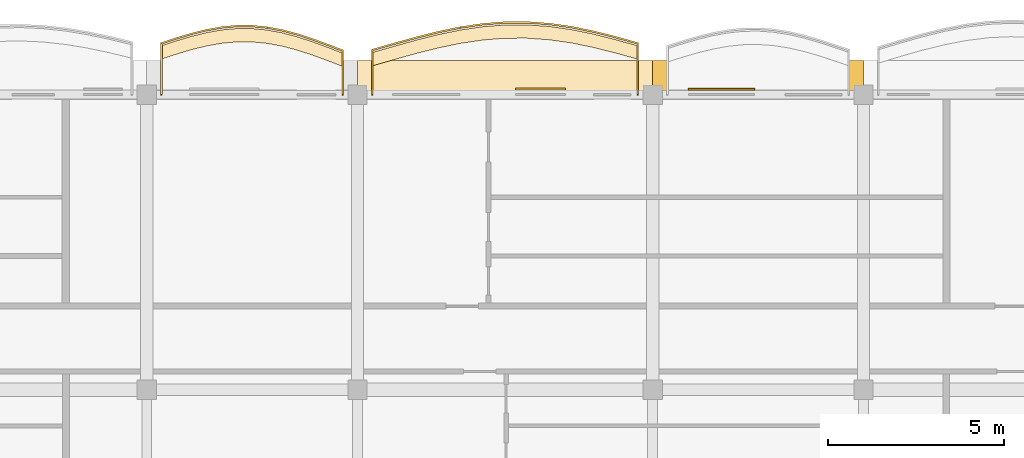
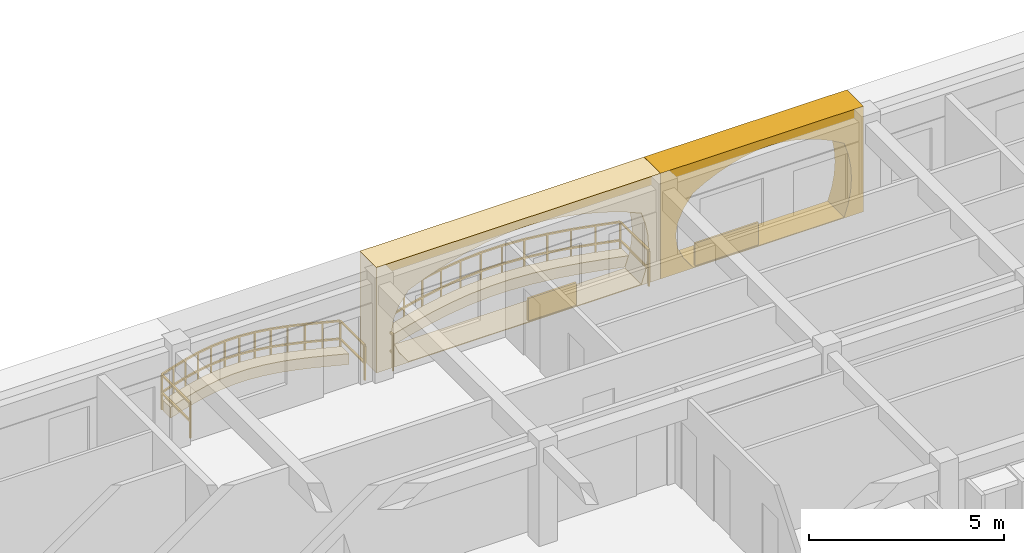
# One storey, part 49 of 59: 6 coverings, 2 railings.
"""IFC4 building model written with IfcOpenShell, lengths in metres."""

from ifc_helpers import new_model, si_unit, direction, frame, origin, origin_2d, place, context, subcontext, project, spatial, polyline, rectangle, outline, extrude, material, layer, layer_set, type_object, element, save


model = new_model("IFC4")

# Units and contexts
model_context = context("Model", 3, precision=1e-05, world=origin(), true_north=direction((0.0, 1.0)))
body_context = subcontext(model_context, "Body", "Model", "MODEL_VIEW")
ifc_project = project(units=[si_unit("LENGTHUNIT", "METRE"), si_unit("AREAUNIT", "SQUARE_METRE"), si_unit("VOLUMEUNIT", "CUBIC_METRE"), si_unit("PLANEANGLEUNIT", "RADIAN"), si_unit("MASSUNIT", "GRAM", prefix="KILO"), si_unit("THERMODYNAMICTEMPERATUREUNIT", "KELVIN")], contexts=[model_context])

# Site, building, storey
site_placement = place(None, origin())
site = spatial("IfcSite", under=ifc_project, at=site_placement, CompositionType="ELEMENT")
building_placement = place(site_placement, origin())
building = spatial("IfcBuilding", under=site, at=building_placement, Name="Thalorik Housing Commons", CompositionType="ELEMENT")
storey_placement = place(building_placement, frame((0.0, 0.0, 27.89990234375)))
storey = spatial("IfcBuildingStorey", under=building, at=storey_placement, Name="L08", CompositionType="ELEMENT", Elevation=27.89990234375)

# Coverings
ifc_material_1 = material(Name="Cobalt blue glazed ceramic facade tile panel", Category="masonry")
ifc_layer_1 = layer(ifc_material_1, 0.06005859375, Name="Cobalt blue glazed ceramic facade tile panel", Category="masonry")
ifc_layer_set_1 = layer_set([ifc_layer_1], Name="Cobalt blue glazed ceramic facade tile panel")
covering_type_1 = type_object("IfcCoveringType", Name="ARC-CLD-BLU-60", PredefinedType="CLADDING", material=ifc_layer_set_1)
covering_1_placement = place(storey_placement, frame((120.404296875, 123.757568359375, 0.05029296875), z_axis=(0.0, 0.0, 1.0), x_axis=(-1.0, 0.0, 0.0)))
element("IfcCovering", 1, at=covering_1_placement, inside=storey, type_object=covering_type_1, Name="L08 De Stijl Recessed Window Spandrel 2717", PredefinedType="CLADDING", context=body_context, shape_type="SweptSolid", body=[
    extrude(rectangle(XDim=1.419921875, YDim=0.06005859375, at=origin_2d()), origin(), (0.0, 0.0, 1.0), 0.699951171875),
])
ifc_material_2 = material(Name="Precast concrete C40/50", Category="concrete")
ifc_layer_2 = layer(ifc_material_2, 0.85009765625, Name="Precast concrete C40/50", Category="concrete")
ifc_layer_set_2 = layer_set([ifc_layer_2], Name="Precast concrete C40/50")
covering_type_2 = type_object("IfcCoveringType", Name="ARC-CLD-CUSH-850", PredefinedType="CLADDING", material=ifc_layer_set_2)
covering_2_placement = place(storey_placement, frame((126.60009765625, 124.1474609375, 0.0), z_axis=(0.0, 0.0, 1.0), x_axis=(-1.0, 0.0, 0.0)))
element("IfcCovering", 2, at=covering_2_placement, inside=storey, type_object=covering_type_2, Name="L08 White Precast Curved Cushion Bay Frame 2714", PredefinedType="CLADDING", context=body_context, shape_type="SweptSolid", body=[
    extrude(outline(polyline([(-3.0, 0.0), (3.0, 0.0), (3.0, 3.300048828125), (-3.0, 3.300048828125), (-3.0, 0.0)]), holes=[polyline([(2.0400390625, 0.02490234375), (2.3232421875, 0.410888671875), (2.493408203125, 0.796630859375), (2.550048828125, 1.1826171875), (2.493408203125, 1.568359375), (2.3232421875, 1.9541015625), (2.0400390625, 2.340087890625), (1.66748046875, 2.552978515625), (1.294921875, 2.720458984375), (0.922607421875, 2.85595703125), (0.550048828125, 2.956787109375), (0.177490234375, 3.01904296875), (-0.195068359375, 3.0400390625), (-0.5673828125, 3.01904296875), (-0.93994140625, 2.956787109375), (-1.3125, 2.85595703125), (-1.68505859375, 2.720458984375), (-2.0576171875, 2.552978515625), (-2.429931640625, 2.340087890625), (-2.55029296875, 1.9541015625), (-2.62255859375, 1.568359375), (-2.646484375, 1.1826171875), (-2.62255859375, 0.796630859375), (-2.55029296875, 0.410888671875), (-2.429931640625, 0.02490234375), (2.0400390625, 0.02490234375)])]), frame((0.0, 0.425048828125, 0.0), z_axis=(0.0, -1.0, 0.0), x_axis=(1.0, 0.0, 0.0)), (0.0, 0.0, 1.0), 0.85009765625),
])
covering_3_placement = place(storey_placement, frame((119.39990234375, 124.1474609375, 0.0), z_axis=(0.0, 0.0, 1.0), x_axis=(-1.0, 0.0, 0.0)))
element("IfcCovering", 3, at=covering_3_placement, inside=storey, type_object=covering_type_2, Name="L08 White Precast Curved Cushion Bay Frame 2716", PredefinedType="CLADDING", context=body_context, shape_type="SweptSolid", body=[
    extrude(outline(polyline([(-4.199951171875, 0.0), (4.199951171875, 0.0), (4.199951171875, 3.300048828125), (-4.199951171875, 3.300048828125), (-4.199951171875, 0.0)]), holes=[polyline([(3.25048828125, 0.02490234375), (3.528076171875, 0.3974609375), (3.694580078125, 0.77001953125), (3.75, 1.142578125), (3.694580078125, 1.514892578125), (3.528076171875, 1.887451171875), (3.25048828125, 2.260009765625), (2.67724609375, 2.497314453125), (2.103759765625, 2.683837890625), (1.530517578125, 2.8349609375), (0.95703125, 2.947265625), (0.3837890625, 3.0166015625), (-0.189697265625, 3.0400390625), (-0.76318359375, 3.0166015625), (-1.33642578125, 2.947265625), (-1.909912109375, 2.8349609375), (-2.483154296875, 2.683837890625), (-3.056640625, 2.497314453125), (-3.6298828125, 2.260009765625), (-3.750244140625, 1.887451171875), (-3.822509765625, 1.514892578125), (-3.8466796875, 1.142578125), (-3.822509765625, 0.77001953125), (-3.750244140625, 0.3974609375), (-3.6298828125, 0.02490234375), (3.25048828125, 0.02490234375)])]), frame((0.0, 0.425048828125, 0.0), z_axis=(0.0, -1.0, 0.0), x_axis=(1.0, 0.0, 0.0)), (0.0, 0.0, 1.0), 0.85009765625),
])
ifc_material_3 = material(Name="Terracotta red mineral fibre-cement panel", Category="masonry")
ifc_layer_3 = layer(ifc_material_3, 0.054931640625, Name="Terracotta red mineral fibre-cement panel", Category="masonry")
ifc_layer_set_3 = layer_set([ifc_layer_3], Name="Terracotta red mineral fibre-cement panel")
covering_type_3 = type_object("IfcCoveringType", Name="ARC-CLD-RED-55", PredefinedType="CLADDING", material=ifc_layer_set_3)
covering_4_placement = place(storey_placement, frame((125.56005859375, 123.7548828125, 0.05029296875), z_axis=(0.0, 0.0, 1.0), x_axis=(-1.0, 0.0, 0.0)))
element("IfcCovering", 4, at=covering_4_placement, inside=storey, type_object=covering_type_3, Name="L08 De Stijl Recessed Window Spandrel 2715", PredefinedType="CLADDING", context=body_context, shape_type="SweptSolid", body=[
    extrude(rectangle(XDim=1.8798828125, YDim=0.054931640625, at=origin_2d()), origin(), (0.0, 0.0, 1.0), 0.699951171875),
])
ifc_material_4 = material(Name="Planted vegetated substrate and terracotta trough", Category="masonry")
ifc_layer_4 = layer(ifc_material_4, 0.340087890625, Name="Planted vegetated substrate and terracotta trough", Category="masonry")
ifc_layer_set_4 = layer_set([ifc_layer_4], Name="Planted vegetated substrate and terracotta trough")
covering_type_4 = type_object("IfcCoveringType", Name="ARC-COV-PLANTER", PredefinedType="USERDEFINED", material=ifc_layer_set_4)
covering_5_placement = place(storey_placement, origin())
element("IfcCovering", 5, at=covering_5_placement, inside=storey, type_object=covering_type_4, Name="L08 Balcony Slab-Edge Planted Trough 5516", ObjectType="PLANTER", PredefinedType="USERDEFINED", context=body_context, shape_type="SweptSolid", body=[
    extrude(outline(polyline([(114.780029296875, 124.781982421875), (114.35009765625, 124.946533203125), (113.919921875, 125.10400390625), (113.489990234375, 125.244384765625), (113.06005859375, 125.358154296875), (112.6298828125, 125.4384765625), (112.199951171875, 125.480224609375), (111.77001953125, 125.481201171875), (111.340087890625, 125.4423828125), (110.909912109375, 125.366943359375), (110.47998046875, 125.260986328125), (110.050048828125, 125.1318359375), (109.6201171875, 124.989501953125), (109.6201171875, 124.609619140625), (110.050048828125, 124.751953125), (110.47998046875, 124.880859375), (110.909912109375, 124.987060546875), (111.340087890625, 125.0625), (111.77001953125, 125.101318359375), (112.199951171875, 125.10009765625), (112.6298828125, 125.058349609375), (113.06005859375, 124.978271484375), (113.489990234375, 124.864501953125), (113.919921875, 124.72412109375), (114.35009765625, 124.56640625), (114.780029296875, 124.402099609375), (114.780029296875, 124.781982421875)])), origin(), (0.0, 0.0, 1.0), 0.340087890625),
])
covering_6_placement = place(storey_placement, origin())
element("IfcCovering", 6, at=covering_6_placement, inside=storey, type_object=covering_type_4, Name="L08 Balcony Slab-Edge Planted Trough 5517", ObjectType="PLANTER", PredefinedType="USERDEFINED", context=body_context, shape_type="SweptSolid", body=[
    extrude(outline(polyline([(123.179931640625, 124.9873046875), (122.550048828125, 125.1640625), (121.919921875, 125.322021484375), (121.2900390625, 125.4501953125), (120.659912109375, 125.5400390625), (120.030029296875, 125.58544921875), (119.39990234375, 125.58349609375), (118.77001953125, 125.5341796875), (118.139892578125, 125.44140625), (117.510009765625, 125.3115234375), (116.8798828125, 125.15380859375), (116.25, 124.97900390625), (115.6201171875, 124.79931640625), (115.6201171875, 124.419189453125), (116.25, 124.598876953125), (116.8798828125, 124.773681640625), (117.510009765625, 124.931640625), (118.139892578125, 125.061279296875), (118.77001953125, 125.154296875), (119.39990234375, 125.203369140625), (120.030029296875, 125.20556640625), (120.659912109375, 125.16015625), (121.2900390625, 125.0703125), (121.919921875, 124.94189453125), (122.550048828125, 124.7841796875), (123.179931640625, 124.607421875), (123.179931640625, 124.9873046875)])), origin(), (0.0, 0.0, 1.0), 0.340087890625),
])

# Railings
ifc_material_5 = material(Name="Steel S355", Category="steel")
railing_type_1 = type_object("IfcRailingType", Name="ARC-RL-BAL-112", PredefinedType="BALUSTRADE", material=ifc_material_5)
railing_1_placement = place(storey_placement, frame((114.780029296875, 123.60009765625, 0.0)))
element("IfcRailing", 7, at=railing_1_placement, inside=storey, type_object=railing_type_1, Name="L08 Cushion Balcony Guardrail 200", PredefinedType="BALUSTRADE", context=body_context, shape_type="SweptSolid", body=[
    extrude(rectangle(XDim=0.050048828125, YDim=0.050048828125, at=origin_2d()), frame((0.0, 0.0, 1.09521484375), z_axis=(0.0, 1.0, 0.0), x_axis=(-1.0, 0.0, 0.0)), (0.0, 0.0, 1.0), 1.251953125),
    extrude(rectangle(XDim=0.050048828125, YDim=0.050048828125, at=origin_2d()), frame((0.0, 0.0, 0.53515625), z_axis=(0.0, 1.0, 0.0), x_axis=(-1.0, 0.0, 0.0)), (0.0, 0.0, 1.0), 1.251953125),
    extrude(rectangle(XDim=0.050048828125, YDim=0.050048828125, at=origin_2d()), frame((0.0, 1.251953125, 1.09521484375), z_axis=(-0.933932105252, 0.357450448007, 0.0), x_axis=(-0.357450448007, -0.933932105252, 0.0)), (0.0, 0.0, 1.0), 0.46044921875),
    extrude(rectangle(XDim=0.050048828125, YDim=0.050048828125, at=origin_2d()), frame((0.0, 1.251953125, 0.53515625), z_axis=(-0.933932105252, 0.357450448007, 0.0), x_axis=(-0.357450448007, -0.933932105252, 0.0)), (0.0, 0.0, 1.0), 0.46044921875),
    extrude(rectangle(XDim=0.050048828125, YDim=0.050048828125, at=origin_2d()), frame((-0.429931640625, 1.41650390625, 1.09521484375), z_axis=(-0.939059922416, 0.343753490328, 0.0), x_axis=(-0.343753490328, -0.939059922416, 0.0)), (0.0, 0.0, 1.0), 0.4580078125),
    extrude(rectangle(XDim=0.050048828125, YDim=0.050048828125, at=origin_2d()), frame((-0.429931640625, 1.41650390625, 0.53515625), z_axis=(-0.939059922416, 0.343753490328, 0.0), x_axis=(-0.343753490328, -0.939059922416, 0.0)), (0.0, 0.0, 1.0), 0.4580078125),
    extrude(rectangle(XDim=0.050048828125, YDim=0.050048828125, at=origin_2d()), frame((-0.860107421875, 1.573974609375, 1.09521484375), z_axis=(-0.950608707094, 0.310391826564, 0.0), x_axis=(-0.310391826564, -0.950608707094, 0.0)), (0.0, 0.0, 1.0), 0.4521484375),
    extrude(rectangle(XDim=0.050048828125, YDim=0.050048828125, at=origin_2d()), frame((-0.860107421875, 1.573974609375, 0.53515625), z_axis=(-0.950608707094, 0.310391826564, 0.0), x_axis=(-0.310391826564, -0.950608707094, 0.0)), (0.0, 0.0, 1.0), 0.4521484375),
    extrude(rectangle(XDim=0.050048828125, YDim=0.050048828125, at=origin_2d()), frame((-1.2900390625, 1.71435546875, 1.09521484375), z_axis=(-0.966725195305, 0.25581711585, 0.0), x_axis=(-0.25581711585, -0.966725195305, 0.0)), (0.0, 0.0, 1.0), 0.44482421875),
    extrude(rectangle(XDim=0.050048828125, YDim=0.050048828125, at=origin_2d()), frame((-1.2900390625, 1.71435546875, 0.53515625), z_axis=(-0.966725195305, 0.25581711585, 0.0), x_axis=(-0.25581711585, -0.966725195305, 0.0)), (0.0, 0.0, 1.0), 0.44482421875),
    extrude(rectangle(XDim=0.050048828125, YDim=0.050048828125, at=origin_2d()), frame((-1.719970703125, 1.828125, 1.09521484375), z_axis=(-0.98311137791, 0.18300824742, 0.0), x_axis=(-0.18300824742, -0.98311137791, 0.0)), (0.0, 0.0, 1.0), 0.4375),
    extrude(rectangle(XDim=0.050048828125, YDim=0.050048828125, at=origin_2d()), frame((-1.719970703125, 1.828125, 0.53515625), z_axis=(-0.98311137791, 0.18300824742, 0.0), x_axis=(-0.18300824742, -0.98311137791, 0.0)), (0.0, 0.0, 1.0), 0.4375),
    extrude(rectangle(XDim=0.050048828125, YDim=0.050048828125, at=origin_2d()), frame((-2.150146484375, 1.908203125, 1.09521484375), z_axis=(-0.995263970634, 0.097209200993, 0.0), x_axis=(-0.097209200993, -0.995263970634, 0.0)), (0.0, 0.0, 1.0), 0.431884765625),
    extrude(rectangle(XDim=0.050048828125, YDim=0.050048828125, at=origin_2d()), frame((-2.150146484375, 1.908203125, 0.53515625), z_axis=(-0.995263970634, 0.097209200993, 0.0), x_axis=(-0.097209200993, -0.995263970634, 0.0)), (0.0, 0.0, 1.0), 0.431884765625),
    extrude(rectangle(XDim=0.050048828125, YDim=0.050048828125, at=origin_2d()), frame((-2.580078125, 1.9501953125, 1.09521484375), z_axis=(-0.999997420298, 0.002271430824, 0.0), x_axis=(-0.002271430824, -0.999997420298, 0.0)), (0.0, 0.0, 1.0), 0.429931640625),
    extrude(rectangle(XDim=0.050048828125, YDim=0.050048828125, at=origin_2d()), frame((-2.580078125, 1.9501953125, 0.53515625), z_axis=(-0.999997420298, 0.002271430824, 0.0), x_axis=(-0.002271430824, -0.999997420298, 0.0)), (0.0, 0.0, 1.0), 0.429931640625),
    extrude(rectangle(XDim=0.050048828125, YDim=0.050048828125, at=origin_2d()), frame((-3.010009765625, 1.951171875, 1.09521484375), z_axis=(-0.995948647187, -0.089923813119, 0.0), x_axis=(0.089923813119, -0.995948647187, 0.0)), (0.0, 0.0, 1.0), 0.431640625),
    extrude(rectangle(XDim=0.050048828125, YDim=0.050048828125, at=origin_2d()), frame((-3.010009765625, 1.951171875, 0.53515625), z_axis=(-0.995948647187, -0.089923813119, 0.0), x_axis=(0.089923813119, -0.995948647187, 0.0)), (0.0, 0.0, 1.0), 0.431640625),
    extrude(rectangle(XDim=0.050048828125, YDim=0.050048828125, at=origin_2d()), frame((-3.43994140625, 1.912353515625, 1.09521484375), z_axis=(-0.984968706606, -0.172732877606, 0.0), x_axis=(0.172732877606, -0.984968706606, 0.0)), (0.0, 0.0, 1.0), 0.436767578125),
    extrude(rectangle(XDim=0.050048828125, YDim=0.050048828125, at=origin_2d()), frame((-3.43994140625, 1.912353515625, 0.53515625), z_axis=(-0.984968706606, -0.172732877606, 0.0), x_axis=(0.172732877606, -0.984968706606, 0.0)), (0.0, 0.0, 1.0), 0.436767578125),
    extrude(rectangle(XDim=0.050048828125, YDim=0.050048828125, at=origin_2d()), frame((-3.8701171875, 1.8369140625, 1.09521484375), z_axis=(-0.970819679707, -0.23981065342, 0.0), x_axis=(0.23981065342, -0.970819679707, 0.0)), (0.0, 0.0, 1.0), 0.44287109375),
    extrude(rectangle(XDim=0.050048828125, YDim=0.050048828125, at=origin_2d()), frame((-3.8701171875, 1.8369140625, 0.53515625), z_axis=(-0.970819679707, -0.23981065342, 0.0), x_axis=(0.23981065342, -0.970819679707, 0.0)), (0.0, 0.0, 1.0), 0.44287109375),
    extrude(rectangle(XDim=0.050048828125, YDim=0.050048828125, at=origin_2d()), frame((-4.300048828125, 1.730712890625, 1.09521484375), z_axis=(-0.957871185663, -0.287198174918, 0.0), x_axis=(0.287198174918, -0.957871185663, 0.0)), (0.0, 0.0, 1.0), 0.44873046875),
    extrude(rectangle(XDim=0.050048828125, YDim=0.050048828125, at=origin_2d()), frame((-4.300048828125, 1.730712890625, 0.53515625), z_axis=(-0.957871185663, -0.287198174918, 0.0), x_axis=(0.287198174918, -0.957871185663, 0.0)), (0.0, 0.0, 1.0), 0.44873046875),
    extrude(rectangle(XDim=0.050048828125, YDim=0.050048828125, at=origin_2d()), frame((-4.72998046875, 1.601806640625, 1.09521484375), z_axis=(-0.949328214695, -0.3142863993, 0.0), x_axis=(0.3142863993, -0.949328214695, 0.0)), (0.0, 0.0, 1.0), 0.452880859375),
    extrude(rectangle(XDim=0.050048828125, YDim=0.050048828125, at=origin_2d()), frame((-4.72998046875, 1.601806640625, 0.53515625), z_axis=(-0.949328214695, -0.3142863993, 0.0), x_axis=(0.3142863993, -0.949328214695, 0.0)), (0.0, 0.0, 1.0), 0.452880859375),
    extrude(rectangle(XDim=0.050048828125, YDim=0.050048828125, at=origin_2d()), frame((-5.159912109375, 1.45947265625, 1.09521484375), z_axis=(0.0, -1.0, 0.0), x_axis=(1.0, 0.0, 0.0)), (0.0, 0.0, 1.0), 1.45947265625),
    extrude(rectangle(XDim=0.050048828125, YDim=0.050048828125, at=origin_2d()), frame((-5.159912109375, 1.45947265625, 0.53515625), z_axis=(0.0, -1.0, 0.0), x_axis=(1.0, 0.0, 0.0)), (0.0, 0.0, 1.0), 1.45947265625),
    extrude(rectangle(XDim=0.0419921875, YDim=0.0419921875, at=origin_2d()), origin(), (0.0, 0.0, 1.0), 1.070068359375),
    extrude(rectangle(XDim=0.0419921875, YDim=0.0419921875, at=origin_2d()), frame((0.0, 1.251953125, 0.0)), (0.0, 0.0, 1.0), 1.070068359375),
    extrude(rectangle(XDim=0.0419921875, YDim=0.0419921875, at=origin_2d()), frame((-0.429931640625, 1.41650390625, 0.0)), (0.0, 0.0, 1.0), 1.070068359375),
    extrude(rectangle(XDim=0.0419921875, YDim=0.0419921875, at=origin_2d()), frame((-0.860107421875, 1.573974609375, 0.0)), (0.0, 0.0, 1.0), 1.070068359375),
    extrude(rectangle(XDim=0.0419921875, YDim=0.0419921875, at=origin_2d()), frame((-1.2900390625, 1.71435546875, 0.0)), (0.0, 0.0, 1.0), 1.070068359375),
    extrude(rectangle(XDim=0.0419921875, YDim=0.0419921875, at=origin_2d()), frame((-1.719970703125, 1.828125, 0.0)), (0.0, 0.0, 1.0), 1.070068359375),
    extrude(rectangle(XDim=0.0419921875, YDim=0.0419921875, at=origin_2d()), frame((-2.150146484375, 1.908203125, 0.0)), (0.0, 0.0, 1.0), 1.070068359375),
    extrude(rectangle(XDim=0.0419921875, YDim=0.0419921875, at=origin_2d()), frame((-2.580078125, 1.9501953125, 0.0)), (0.0, 0.0, 1.0), 1.070068359375),
    extrude(rectangle(XDim=0.0419921875, YDim=0.0419921875, at=origin_2d()), frame((-3.010009765625, 1.951171875, 0.0)), (0.0, 0.0, 1.0), 1.070068359375),
    extrude(rectangle(XDim=0.0419921875, YDim=0.0419921875, at=origin_2d()), frame((-3.43994140625, 1.912353515625, 0.0)), (0.0, 0.0, 1.0), 1.070068359375),
    extrude(rectangle(XDim=0.0419921875, YDim=0.0419921875, at=origin_2d()), frame((-3.8701171875, 1.8369140625, 0.0)), (0.0, 0.0, 1.0), 1.070068359375),
    extrude(rectangle(XDim=0.0419921875, YDim=0.0419921875, at=origin_2d()), frame((-4.300048828125, 1.730712890625, 0.0)), (0.0, 0.0, 1.0), 1.070068359375),
    extrude(rectangle(XDim=0.0419921875, YDim=0.0419921875, at=origin_2d()), frame((-4.72998046875, 1.601806640625, 0.0)), (0.0, 0.0, 1.0), 1.070068359375),
    extrude(rectangle(XDim=0.0419921875, YDim=0.0419921875, at=origin_2d()), frame((-5.159912109375, 1.45947265625, 0.0)), (0.0, 0.0, 1.0), 1.070068359375),
    extrude(rectangle(XDim=0.0419921875, YDim=0.0419921875, at=origin_2d()), frame((-5.159912109375, 0.0, 0.0)), (0.0, 0.0, 1.0), 1.070068359375),
])
railing_type_2 = type_object("IfcRailingType", Name="ARC-RL-BAL-115", PredefinedType="BALUSTRADE", material=ifc_material_5)
railing_2_placement = place(storey_placement, frame((123.179931640625, 123.60009765625, 0.0)))
element("IfcRailing", 8, at=railing_2_placement, inside=storey, type_object=railing_type_2, Name="L08 Cushion Balcony Guardrail 201", PredefinedType="BALUSTRADE", context=body_context, shape_type="SweptSolid", body=[
    extrude(rectangle(XDim=0.050048828125, YDim=0.050048828125, at=origin_2d()), frame((0.0, 0.0, 1.125), z_axis=(0.0, 1.0, 0.0), x_axis=(-1.0, 0.0, 0.0)), (0.0, 0.0, 1.0), 1.457275390625),
    extrude(rectangle(XDim=0.050048828125, YDim=0.050048828125, at=origin_2d()), frame((0.0, 0.0, 0.5498046875), z_axis=(0.0, 1.0, 0.0), x_axis=(-1.0, 0.0, 0.0)), (0.0, 0.0, 1.0), 1.457275390625),
    extrude(rectangle(XDim=0.050048828125, YDim=0.050048828125, at=origin_2d()), frame((0.0, 1.457275390625, 1.125), z_axis=(-0.962808829557, 0.270183563023, 0.0), x_axis=(-0.270183563023, -0.962808829557, 0.0)), (0.0, 0.0, 1.0), 0.654296875),
    extrude(rectangle(XDim=0.050048828125, YDim=0.050048828125, at=origin_2d()), frame((0.0, 1.457275390625, 0.5498046875), z_axis=(-0.962808829557, 0.270183563023, 0.0), x_axis=(-0.270183563023, -0.962808829557, 0.0)), (0.0, 0.0, 1.0), 0.654296875),
    extrude(rectangle(XDim=0.050048828125, YDim=0.050048828125, at=origin_2d()), frame((-0.6298828125, 1.634033203125, 1.125), z_axis=(-0.969987553877, 0.243154570848, 0.0), x_axis=(-0.243154570848, -0.969987553877, 0.0)), (0.0, 0.0, 1.0), 0.649658203125),
    extrude(rectangle(XDim=0.050048828125, YDim=0.050048828125, at=origin_2d()), frame((-0.6298828125, 1.634033203125, 0.5498046875), z_axis=(-0.969987553877, 0.243154570848, 0.0), x_axis=(-0.243154570848, -0.969987553877, 0.0)), (0.0, 0.0, 1.0), 0.649658203125),
    extrude(rectangle(XDim=0.050048828125, YDim=0.050048828125, at=origin_2d()), frame((-1.260009765625, 1.7919921875, 1.125), z_axis=(-0.979917798202, 0.199401877541, 0.0), x_axis=(-0.199401877541, -0.979917798202, 0.0)), (0.0, 0.0, 1.0), 0.642822265625),
    extrude(rectangle(XDim=0.050048828125, YDim=0.050048828125, at=origin_2d()), frame((-1.260009765625, 1.7919921875, 0.5498046875), z_axis=(-0.979917798202, 0.199401877541, 0.0), x_axis=(-0.199401877541, -0.979917798202, 0.0)), (0.0, 0.0, 1.0), 0.642822265625),
    extrude(rectangle(XDim=0.050048828125, YDim=0.050048828125, at=origin_2d()), frame((-1.889892578125, 1.920166015625, 1.125), z_axis=(-0.989987814004, 0.14115285376, 0.0), x_axis=(-0.14115285376, -0.989987814004, 0.0)), (0.0, 0.0, 1.0), 0.636474609375),
    extrude(rectangle(XDim=0.050048828125, YDim=0.050048828125, at=origin_2d()), frame((-1.889892578125, 1.920166015625, 0.5498046875), z_axis=(-0.989987814004, 0.14115285376, 0.0), x_axis=(-0.14115285376, -0.989987814004, 0.0)), (0.0, 0.0, 1.0), 0.636474609375),
    extrude(rectangle(XDim=0.050048828125, YDim=0.050048828125, at=origin_2d()), frame((-2.52001953125, 2.010009765625, 1.125), z_axis=(-0.997411384201, 0.071906402117, 0.0), x_axis=(-0.071906402117, -0.997411384201, 0.0)), (0.0, 0.0, 1.0), 0.631591796875),
    extrude(rectangle(XDim=0.050048828125, YDim=0.050048828125, at=origin_2d()), frame((-2.52001953125, 2.010009765625, 0.5498046875), z_axis=(-0.997411384201, 0.071906402117, 0.0), x_axis=(-0.071906402117, -0.997411384201, 0.0)), (0.0, 0.0, 1.0), 0.631591796875),
    extrude(rectangle(XDim=0.050048828125, YDim=0.050048828125, at=origin_2d()), frame((-3.14990234375, 2.055419921875, 1.125), z_axis=(-0.999993920399, -0.003486999335, 0.0), x_axis=(0.003486999335, -0.999993920399, 0.0)), (0.0, 0.0, 1.0), 0.630126953125),
    extrude(rectangle(XDim=0.050048828125, YDim=0.050048828125, at=origin_2d()), frame((-3.14990234375, 2.055419921875, 0.5498046875), z_axis=(-0.999993920399, -0.003486999335, 0.0), x_axis=(0.003486999335, -0.999993920399, 0.0)), (0.0, 0.0, 1.0), 0.630126953125),
    extrude(rectangle(XDim=0.050048828125, YDim=0.050048828125, at=origin_2d()), frame((-3.780029296875, 2.05322265625, 1.125), z_axis=(-0.996978996531, -0.077671619497, 0.0), x_axis=(0.077671619497, -0.996978996531, 0.0)), (0.0, 0.0, 1.0), 0.6318359375),
    extrude(rectangle(XDim=0.050048828125, YDim=0.050048828125, at=origin_2d()), frame((-3.780029296875, 2.05322265625, 0.5498046875), z_axis=(-0.996978996531, -0.077671619497, 0.0), x_axis=(0.077671619497, -0.996978996531, 0.0)), (0.0, 0.0, 1.0), 0.6318359375),
    extrude(rectangle(XDim=0.050048828125, YDim=0.050048828125, at=origin_2d()), frame((-4.409912109375, 2.004150390625, 1.125), z_axis=(-0.989334778936, -0.145659518015, 0.0), x_axis=(0.145659518015, -0.989334778936, 0.0)), (0.0, 0.0, 1.0), 0.636962890625),
    extrude(rectangle(XDim=0.050048828125, YDim=0.050048828125, at=origin_2d()), frame((-4.409912109375, 2.004150390625, 0.5498046875), z_axis=(-0.989334778936, -0.145659518015, 0.0), x_axis=(0.145659518015, -0.989334778936, 0.0)), (0.0, 0.0, 1.0), 0.636962890625),
    extrude(rectangle(XDim=0.050048828125, YDim=0.050048828125, at=origin_2d()), frame((-5.0400390625, 1.911376953125, 1.125), z_axis=(-0.979395251557, -0.201952819313, 0.0), x_axis=(0.201952819313, -0.979395251557, 0.0)), (0.0, 0.0, 1.0), 0.64306640625),
    extrude(rectangle(XDim=0.050048828125, YDim=0.050048828125, at=origin_2d()), frame((-5.0400390625, 1.911376953125, 0.5498046875), z_axis=(-0.979395251557, -0.201952819313, 0.0), x_axis=(0.201952819313, -0.979395251557, 0.0)), (0.0, 0.0, 1.0), 0.64306640625),
    extrude(rectangle(XDim=0.050048828125, YDim=0.050048828125, at=origin_2d()), frame((-5.669921875, 1.781494140625, 1.125), z_axis=(-0.970076136899, -0.242800923842, 0.0), x_axis=(0.242800923842, -0.970076136899, 0.0)), (0.0, 0.0, 1.0), 0.649658203125),
    extrude(rectangle(XDim=0.050048828125, YDim=0.050048828125, at=origin_2d()), frame((-5.669921875, 1.781494140625, 0.5498046875), z_axis=(-0.970076136899, -0.242800923842, 0.0), x_axis=(0.242800923842, -0.970076136899, 0.0)), (0.0, 0.0, 1.0), 0.649658203125),
    extrude(rectangle(XDim=0.050048828125, YDim=0.050048828125, at=origin_2d()), frame((-6.300048828125, 1.623779296875, 1.125), z_axis=(-0.963485801487, -0.267759426227, 0.0), x_axis=(0.267759426227, -0.963485801487, 0.0)), (0.0, 0.0, 1.0), 0.65380859375),
    extrude(rectangle(XDim=0.050048828125, YDim=0.050048828125, at=origin_2d()), frame((-6.300048828125, 1.623779296875, 0.5498046875), z_axis=(-0.963485801487, -0.267759426227, 0.0), x_axis=(0.267759426227, -0.963485801487, 0.0)), (0.0, 0.0, 1.0), 0.65380859375),
    extrude(rectangle(XDim=0.050048828125, YDim=0.050048828125, at=origin_2d()), frame((-6.929931640625, 1.44873046875, 1.125), z_axis=(-0.961636388432, -0.274327279801, 0.0), x_axis=(0.274327279801, -0.961636388432, 0.0)), (0.0, 0.0, 1.0), 0.655029296875),
    extrude(rectangle(XDim=0.050048828125, YDim=0.050048828125, at=origin_2d()), frame((-6.929931640625, 1.44873046875, 0.5498046875), z_axis=(-0.961636388432, -0.274327279801, 0.0), x_axis=(0.274327279801, -0.961636388432, 0.0)), (0.0, 0.0, 1.0), 0.655029296875),
    extrude(rectangle(XDim=0.050048828125, YDim=0.050048828125, at=origin_2d()), frame((-7.559814453125, 1.26904296875, 1.125), z_axis=(0.0, -1.0, 0.0), x_axis=(1.0, 0.0, 0.0)), (0.0, 0.0, 1.0), 1.26904296875),
    extrude(rectangle(XDim=0.050048828125, YDim=0.050048828125, at=origin_2d()), frame((-7.559814453125, 1.26904296875, 0.5498046875), z_axis=(0.0, -1.0, 0.0), x_axis=(1.0, 0.0, 0.0)), (0.0, 0.0, 1.0), 1.26904296875),
    extrude(rectangle(XDim=0.0419921875, YDim=0.0419921875, at=origin_2d()), origin(), (0.0, 0.0, 1.0), 1.099853515625),
    extrude(rectangle(XDim=0.0419921875, YDim=0.0419921875, at=origin_2d()), frame((0.0, 1.457275390625, 0.0)), (0.0, 0.0, 1.0), 1.099853515625),
    extrude(rectangle(XDim=0.0419921875, YDim=0.0419921875, at=origin_2d()), frame((-0.6298828125, 1.634033203125, 0.0)), (0.0, 0.0, 1.0), 1.099853515625),
    extrude(rectangle(XDim=0.0419921875, YDim=0.0419921875, at=origin_2d()), frame((-1.260009765625, 1.7919921875, 0.0)), (0.0, 0.0, 1.0), 1.099853515625),
    extrude(rectangle(XDim=0.0419921875, YDim=0.0419921875, at=origin_2d()), frame((-1.889892578125, 1.920166015625, 0.0)), (0.0, 0.0, 1.0), 1.099853515625),
    extrude(rectangle(XDim=0.0419921875, YDim=0.0419921875, at=origin_2d()), frame((-2.52001953125, 2.010009765625, 0.0)), (0.0, 0.0, 1.0), 1.099853515625),
    extrude(rectangle(XDim=0.0419921875, YDim=0.0419921875, at=origin_2d()), frame((-3.14990234375, 2.055419921875, 0.0)), (0.0, 0.0, 1.0), 1.099853515625),
    extrude(rectangle(XDim=0.0419921875, YDim=0.0419921875, at=origin_2d()), frame((-3.780029296875, 2.05322265625, 0.0)), (0.0, 0.0, 1.0), 1.099853515625),
    extrude(rectangle(XDim=0.0419921875, YDim=0.0419921875, at=origin_2d()), frame((-4.409912109375, 2.004150390625, 0.0)), (0.0, 0.0, 1.0), 1.099853515625),
    extrude(rectangle(XDim=0.0419921875, YDim=0.0419921875, at=origin_2d()), frame((-5.0400390625, 1.911376953125, 0.0)), (0.0, 0.0, 1.0), 1.099853515625),
    extrude(rectangle(XDim=0.0419921875, YDim=0.0419921875, at=origin_2d()), frame((-5.669921875, 1.781494140625, 0.0)), (0.0, 0.0, 1.0), 1.099853515625),
    extrude(rectangle(XDim=0.0419921875, YDim=0.0419921875, at=origin_2d()), frame((-6.300048828125, 1.623779296875, 0.0)), (0.0, 0.0, 1.0), 1.099853515625),
    extrude(rectangle(XDim=0.0419921875, YDim=0.0419921875, at=origin_2d()), frame((-6.929931640625, 1.44873046875, 0.0)), (0.0, 0.0, 1.0), 1.099853515625),
    extrude(rectangle(XDim=0.0419921875, YDim=0.0419921875, at=origin_2d()), frame((-7.559814453125, 1.26904296875, 0.0)), (0.0, 0.0, 1.0), 1.099853515625),
    extrude(rectangle(XDim=0.0419921875, YDim=0.0419921875, at=origin_2d()), frame((-7.559814453125, 0.0, 0.0)), (0.0, 0.0, 1.0), 1.099853515625),
])

save(model, "model.ifc")
